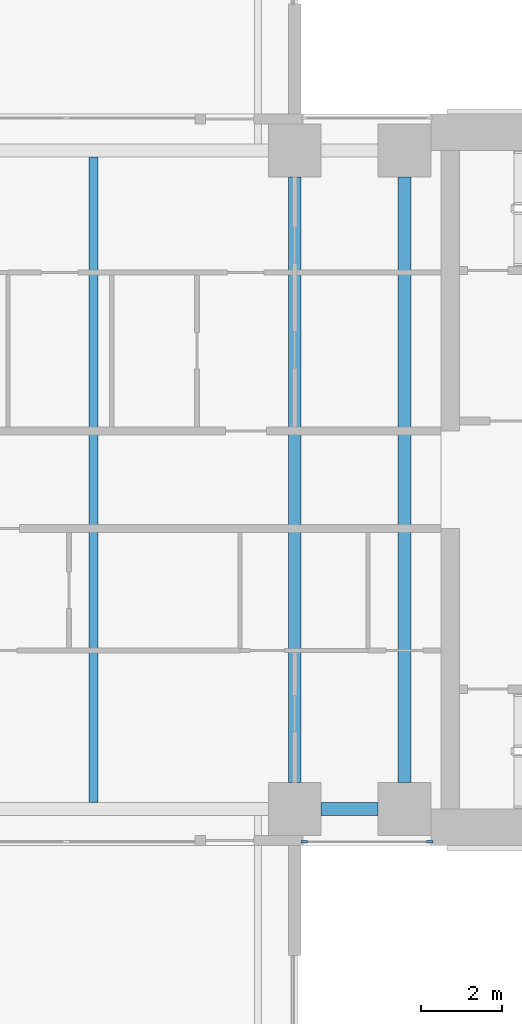
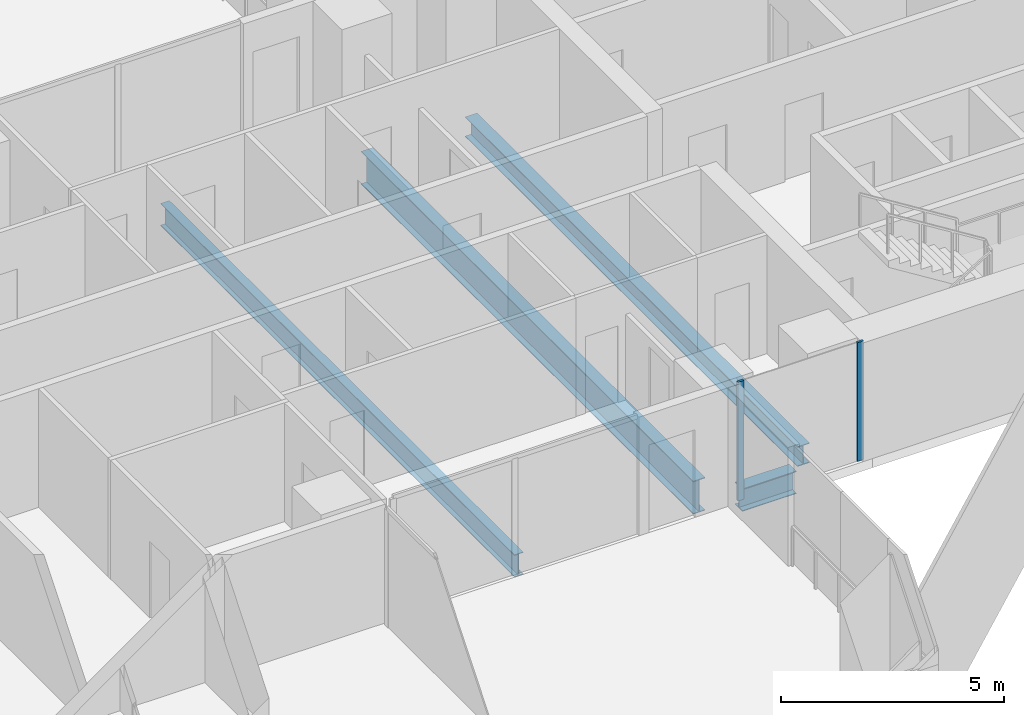
# One storey, part 5 of 23: 4 beams, 2 members, 1 element without a shape of its own.
"""IFC4 building model written with IfcOpenShell, lengths in metres."""

import ifcopenshell
import ifcopenshell.guid

model = None  # the IFC model being written
_history = None  # IfcOwnerHistory: only IFC2X3 demands one
_inside = {}  # id of a spatial element -> (the spatial element, [elements in it])
_under = {}  # id of a project, library or spatial element -> (it, [spatial elements below it])
_declared = {}  # id of a project -> (the project, [libraries it declares])
_typed = {}  # id of a type object -> (the type object, [elements of that type])
_made_of = {}  # id of a material, layer set ... -> (it, [elements and type objects made of it])


def new_model(schema):
    """Start an empty IFC model of exactly this schema.

    Asked for "IFC4X3", IfcOpenShell would pick the latest addendum, in which some entities
    have other attributes; the version numbers below select the first issue.
    IFC2X3 requires an IfcOwnerHistory on every rooted entity: one is made here for all.
    """
    global model, _history
    if schema == "IFC4X3":
        model = ifcopenshell.file(schema_version=(4, 3, 0, 0))
    else:
        model = ifcopenshell.file(schema=schema)
    _inside.clear()
    _under.clear()
    _declared.clear()
    _typed.clear()
    _made_of.clear()
    _history = None
    if model.schema == "IFC2X3":
        org = make("IfcOrganization", Name="unknown")
        user = make(
            "IfcPersonAndOrganization",
            ThePerson=make("IfcPerson", FamilyName="unknown"),
            TheOrganization=org,
        )
        app = make(
            "IfcApplication",
            ApplicationDeveloper=org,
            Version="unknown",
            ApplicationFullName="unknown",
            ApplicationIdentifier="unknown",
        )
        _history = make(
            "IfcOwnerHistory",
            OwningUser=user,
            OwningApplication=app,
            ChangeAction="ADDED",
            CreationDate=0,
        )
    return model


def make(cls, **values):
    """One entity of the class cls with the attributes given. An attribute that is None is left unset."""
    return model.create_entity(
        cls, **{name: value for name, value in values.items() if value is not None}
    )


def rooted(cls, **values):
    """An entity with a GlobalId (a new one), such as an element, a storey or a relation."""
    return make(cls, GlobalId=ifcopenshell.guid.new(), OwnerHistory=_history, **values)


def si_unit(unit_type, name, prefix=None):
    """IfcSIUnit, for example si_unit("LENGTHUNIT", "METRE", prefix="MILLI")."""
    return make("IfcSIUnit", UnitType=unit_type, Prefix=prefix, Name=name)


def assignment(units):
    """IfcUnitAssignment: the units of a project."""
    return None if units is None else make("IfcUnitAssignment", Units=units)


def point(xyz):
    """IfcCartesianPoint."""
    return None if xyz is None else make("IfcCartesianPoint", Coordinates=xyz)


def direction(xyz):
    """IfcDirection."""
    return None if xyz is None else make("IfcDirection", DirectionRatios=xyz)


def frame(location, z_axis=None, x_axis=None):
    """IfcAxis2Placement3D, a coordinate frame: its origin and axes. An axis left out is left unset."""
    return make(
        "IfcAxis2Placement3D",
        Location=point(location),
        Axis=direction(z_axis),
        RefDirection=direction(x_axis),
    )


def frame_2d(location, x_axis=None):
    """IfcAxis2Placement2D, a coordinate frame in the plane: its origin and x axis."""
    return make(
        "IfcAxis2Placement2D", Location=point(location), RefDirection=direction(x_axis)
    )


def origin():
    """The frame at (0, 0, 0) with its axes left unset."""
    return frame((0.0, 0.0, 0.0))


def origin_2d():
    """The frame at (0, 0) in the plane with its x axis left unset."""
    return frame_2d((0.0, 0.0))


def place(relative_to, where):
    """IfcLocalPlacement: puts the frame where relative to a parent placement (None: the world)."""
    return make(
        "IfcLocalPlacement", PlacementRelTo=relative_to, RelativePlacement=where
    )


def context(
    kind, dimensions, precision=None, world=None, true_north=None, identifier=None
):
    """IfcGeometricRepresentationContext, for example the 3D "Model" context."""
    return make(
        "IfcGeometricRepresentationContext",
        ContextIdentifier=identifier,
        ContextType=kind,
        CoordinateSpaceDimension=dimensions,
        Precision=precision,
        WorldCoordinateSystem=world,
        TrueNorth=true_north,
    )


def subcontext(parent, identifier, kind, view, scale=None):
    """IfcGeometricRepresentationSubContext, for example "Body" below "Model"."""
    return make(
        "IfcGeometricRepresentationSubContext",
        ContextIdentifier=identifier,
        ContextType=kind,
        ParentContext=parent,
        TargetScale=scale,
        TargetView=view,
    )


def project(units=None, contexts=None):
    """IfcProject with its units and contexts."""
    return rooted(
        "IfcProject",
        Name="project",
        RepresentationContexts=contexts,
        UnitsInContext=assignment(units),
    )


def spatial(cls, under=None, at=None, **own):
    """A site, building, storey or space (cls), placed at a placement, below another one or the project."""
    s = rooted(cls, ObjectPlacement=at, **own)
    if under is not None:
        _under.setdefault(under.id(), (under, []))[1].append(s)
    return s


def profile(cls, at=None, kind="AREA", **sizes):
    """A parametric profile (cls). Its sizes go by their IFC names, for example OverallWidth=200.0."""
    return make(cls, ProfileType=kind, Position=at, **sizes)


def rectangle(**sizes):
    """IfcRectangleProfileDef."""
    return profile("IfcRectangleProfileDef", **sizes)


def i_section(**sizes):
    """IfcIShapeProfileDef."""
    return profile("IfcIShapeProfileDef", **sizes)


def extrude(swept, where, along, depth):
    """IfcExtrudedAreaSolid: the profile swept, set in the frame where, extruded along a direction by depth."""
    return make(
        "IfcExtrudedAreaSolid",
        SweptArea=swept,
        Position=where,
        ExtrudedDirection=direction(along),
        Depth=depth,
    )


def shape(context_of_items, identifier, shape_type, items):
    """IfcShapeRepresentation: the items that make up one representation, for example the "Body"."""
    return make(
        "IfcShapeRepresentation",
        ContextOfItems=context_of_items,
        RepresentationIdentifier=identifier,
        RepresentationType=shape_type,
        Items=items,
    )


def material(Name=None, Category=None):
    """IfcMaterial."""
    return make("IfcMaterial", Name=Name, Category=Category)


def material_profile(
    of_material, cross_section, Name=None, Category=None, Priority=None
):
    """IfcMaterialProfile: a cross section and its material."""
    return make(
        "IfcMaterialProfile",
        Name=Name,
        Material=of_material,
        Profile=cross_section,
        Priority=Priority,
        Category=Category,
    )


def profile_set(profiles, Name=None, composite=None):
    """IfcMaterialProfileSet."""
    return make(
        "IfcMaterialProfileSet",
        Name=Name,
        MaterialProfiles=profiles,
        CompositeProfile=composite,
    )


def made_of(thing, what):
    """Note that an element or type object is made of a material, layer set ...; save() writes the relation."""
    if what is not None:
        _made_of.setdefault(what.id(), (what, []))[1].append(thing)
    return thing


def type_object(cls, material=None, **own):
    """A type object (cls), such as IfcWallType, which elements share."""
    return made_of(rooted(cls, **own), material)


def element(
    cls,
    number,
    at=None,
    inside=None,
    cuts=None,
    type_object=None,
    material=None,
    context=None,
    identifier="Body",
    shape_type=None,
    held_by="IfcProductDefinitionShape",
    body=None,
    shapes=None,
    **own,
):
    """One element of the class cls, such as IfcWall. Its Tag is "e" and its number.

    at: its placement. inside: the storey or other place that contains it. cuts: it is an
    opening in that element (IfcRelVoidsElement). A single representation is given by context,
    identifier, shape_type and body (its items); several are given by shapes. held_by: the class
    of the entity that holds the representations. save() writes the other relations.
    """
    e = rooted(cls, Tag="e%d" % number, ObjectPlacement=at, **own)
    if body is not None:
        shapes = [shape(context, identifier, shape_type, body)]
    if shapes is not None:
        e.Representation = make(held_by, Representations=shapes)
    if inside is not None:
        _inside.setdefault(inside.id(), (inside, []))[1].append(e)
    if cuts is not None:
        rooted(
            "IfcRelVoidsElement", RelatingBuildingElement=cuts, RelatedOpeningElement=e
        )
    if type_object is not None:
        _typed.setdefault(type_object.id(), (type_object, []))[1].append(e)
    return made_of(e, material)


def aggregate(whole, parts):
    """IfcRelAggregates: a whole, such as a stair, and the parts it consists of."""
    return rooted("IfcRelAggregates", RelatingObject=whole, RelatedObjects=parts)


def save(model, path):
    """Write the relations noted so far, then the file.

    IfcRelAggregates (storeys below a building ...), IfcRelContainedInSpatialStructure (elements
    in a storey), IfcRelDefinesByType, IfcRelAssociatesMaterial and IfcRelDeclares: one each for
    every whole, place, type object, material and project.
    """
    for whole, parts in _under.values():
        aggregate(whole, parts)
    for where, things in _inside.values():
        rooted(
            "IfcRelContainedInSpatialStructure",
            RelatedElements=things,
            RelatingStructure=where,
        )
    for kind, things in _typed.values():
        rooted("IfcRelDefinesByType", RelatedObjects=things, RelatingType=kind)
    for what, things in _made_of.values():
        rooted("IfcRelAssociatesMaterial", RelatedObjects=things, RelatingMaterial=what)
    for by, libraries in _declared.values():
        rooted("IfcRelDeclares", RelatingContext=by, RelatedDefinitions=libraries)
    model.write(path)


model = new_model("IFC4")

# Units and contexts
model_context = context("Model", 3, precision=1e-05, world=origin(), true_north=direction((0.0, 1.0)))
body_context = subcontext(model_context, "Body", "Model", "MODEL_VIEW")
ifc_project = project(units=[si_unit("LENGTHUNIT", "METRE"), si_unit("AREAUNIT", "SQUARE_METRE"), si_unit("VOLUMEUNIT", "CUBIC_METRE"), si_unit("PLANEANGLEUNIT", "RADIAN"), si_unit("MASSUNIT", "GRAM", prefix="KILO")], contexts=[model_context])

# Site, building, storey
site_placement = place(None, origin())
site = spatial("IfcSite", under=ifc_project, at=site_placement, CompositionType="ELEMENT")
building_placement = place(site_placement, origin())
building = spatial("IfcBuilding", under=site, at=building_placement, Name="Perihelion Cross Residences", CompositionType="ELEMENT")
storey_placement = place(building_placement, frame((0.0, 0.0, 85.5)))
storey = spatial("IfcBuildingStorey", under=building, at=storey_placement, Name="L19", CompositionType="ELEMENT", Elevation=85.5)

# Curtain wall, members
ifc_material_1 = material(Name="Bronze anodised aluminium, tinted glazing", Category="aluminium")
curtain_wall_type = type_object("IfcCurtainWallType", Name="CW1", PredefinedType="NOTDEFINED", material=ifc_material_1)
curtain_wall_placement = place(storey_placement, origin())
curtain_wall = element("IfcCurtainWall", 1, at=curtain_wall_placement, inside=storey, type_object=curtain_wall_type, Name="Curtain wall CW1 L19 east side south bay 2", PredefinedType="NOTDEFINED")
ifc_material_2 = material(Name="Bronze anodised aluminium", Category="aluminium")
ifc_material_profile_1 = material_profile(ifc_material_2, rectangle(XDim=0.06005859375, YDim=0.159912109375, at=origin_2d()), Name="CW1 mullion")
ifc_profile_set_1 = profile_set([ifc_material_profile_1], Name="Bronze anodised aluminium")
member_type = type_object("IfcMemberType", Name="CW1 mullion", PredefinedType="MULLION", material=ifc_profile_set_1)
member_1_placement = place(storey_placement, frame((18.22998046875, -8.89990234375, 0.0), z_axis=(0.0, 0.0, 1.0), x_axis=(0.0, 1.0, 0.0)))
member_1 = element("IfcMember", 2, at=member_1_placement, type_object=member_type, Name="CW1 mullion 1", PredefinedType="MULLION", context=body_context, shape_type="SweptSolid", body=[
    extrude(rectangle(XDim=0.06005859375, YDim=0.159912109375, at=origin_2d()), origin(), (0.0, 0.0, 1.0), 3.25),
])
member_2_placement = place(storey_placement, frame((21.320068359375, -8.89990234375, 0.0), z_axis=(0.0, 0.0, 1.0), x_axis=(0.0, 1.0, 0.0)))
member_2 = element("IfcMember", 3, at=member_2_placement, type_object=member_type, Name="CW1 mullion 2", PredefinedType="MULLION", context=body_context, shape_type="SweptSolid", body=[
    extrude(rectangle(XDim=0.06005859375, YDim=0.159912109375, at=origin_2d()), origin(), (0.0, 0.0, 1.0), 3.25),
])
aggregate(curtain_wall, [member_1, member_2])

# Beams
ifc_material_3 = material(Name="Steel S355", Category="steel")
ifc_material_profile_2 = material_profile(ifc_material_3, i_section(OverallWidth=0.31201171875, OverallDepth=0.5439453125, WebThickness=0.0126953125, FlangeThickness=0.020263671875, at=origin_2d()), Name="W530x150")
ifc_profile_set_2 = profile_set([ifc_material_profile_2], Name="Steel S355")
beam_type_1 = type_object("IfcBeamType", Name="Core edge beam W530x150", PredefinedType="BEAM", material=ifc_profile_set_2)
beam_1_placement = place(storey_placement, frame((20.699951171875, -7.449951171875, -0.52197265625), z_axis=(0.0, 1.0, 0.0), x_axis=(-1.0, 0.0, 0.0)))
element("IfcBeam", 4, at=beam_1_placement, inside=storey, type_object=beam_type_1, Name="Core edge beam TB4 L19 no. 2", PredefinedType="BEAM", context=body_context, shape_type="SweptSolid", body=[
    extrude(i_section(OverallWidth=0.31201171875, OverallDepth=0.5439453125, WebThickness=0.0126953125, FlangeThickness=0.020263671875, at=origin_2d()), origin(), (0.0, 0.0, 1.0), 14.89990234375),
])
ifc_material_4 = material(Name="Steel S355", Category="steel")
ifc_material_profile_3 = material_profile(ifc_material_4, i_section(OverallWidth=0.324951171875, OverallDepth=0.616943359375, WebThickness=0.013916015625, FlangeThickness=0.021484375, at=origin_2d()), Name="W610x174")
ifc_profile_set_3 = profile_set([ifc_material_profile_3], Name="Steel S355")
beam_type_2 = type_object("IfcBeamType", Name="Edge beam W610x174", PredefinedType="SPANDREL", material=ifc_profile_set_3)
beam_2_placement = place(storey_placement, frame((18.64990234375, -8.10009765625, -0.55859375), z_axis=(1.0, 0.0, 0.0), x_axis=(0.0, 1.0, 0.0)))
element("IfcBeam", 5, at=beam_2_placement, inside=storey, type_object=beam_type_2, Name="Edge beam SB2 L19 no. 12", PredefinedType="SPANDREL", context=body_context, shape_type="SweptSolid", body=[
    extrude(i_section(OverallWidth=0.324951171875, OverallDepth=0.616943359375, WebThickness=0.013916015625, FlangeThickness=0.021484375, at=origin_2d()), origin(), (0.0, 0.0, 1.0), 1.400146484375),
])
ifc_material_5 = material(Name="Steel S355", Category="steel")
ifc_material_profile_4 = material_profile(ifc_material_5, i_section(OverallWidth=0.304931640625, OverallDepth=0.904052734375, WebThickness=0.01513671875, FlangeThickness=0.02001953125, at=origin_2d()), Name="W920x201")
ifc_profile_set_4 = profile_set([ifc_material_profile_4], Name="Steel S355")
beam_type_3 = type_object("IfcBeamType", Name="Floor girder W920x201", PredefinedType="BEAM", material=ifc_profile_set_4)
beam_3_placement = place(storey_placement, frame((18.0, -7.449951171875, -0.701904296875), z_axis=(0.0, 1.0, 0.0), x_axis=(-1.0, 0.0, 0.0)))
element("IfcBeam", 6, at=beam_3_placement, inside=storey, type_object=beam_type_3, Name="Girder G2 L19 no. 2", PredefinedType="BEAM", context=body_context, shape_type="SweptSolid", body=[
    extrude(i_section(OverallWidth=0.304931640625, OverallDepth=0.904052734375, WebThickness=0.01513671875, FlangeThickness=0.02001953125, at=origin_2d()), origin(), (0.0, 0.0, 1.0), 14.89990234375),
])
ifc_material_6 = material(Name="Steel S355", Category="steel")
ifc_material_profile_5 = material_profile(ifc_material_6, i_section(OverallWidth=0.22900390625, OverallDepth=0.612060546875, WebThickness=0.011962890625, FlangeThickness=0.01953125, at=origin_2d()), Name="W610x125")
ifc_profile_set_5 = profile_set([ifc_material_profile_5], Name="Steel S355")
beam_type_4 = type_object("IfcBeamType", Name="Floor joist W610x125", PredefinedType="JOIST", material=ifc_profile_set_5)
beam_4_placement = place(storey_placement, frame((13.050048828125, -7.9375, -0.555908203125), z_axis=(0.0, 1.0, 0.0), x_axis=(-1.0, 0.0, 0.0)))
element("IfcBeam", 7, at=beam_4_placement, inside=storey, type_object=beam_type_4, Name="Joist J3 L19 no. 2", PredefinedType="JOIST", context=body_context, shape_type="SweptSolid", body=[
    extrude(i_section(OverallWidth=0.22900390625, OverallDepth=0.612060546875, WebThickness=0.011962890625, FlangeThickness=0.01953125, at=origin_2d()), origin(), (0.0, 0.0, 1.0), 15.875),
])

save(model, "model.ifc")
